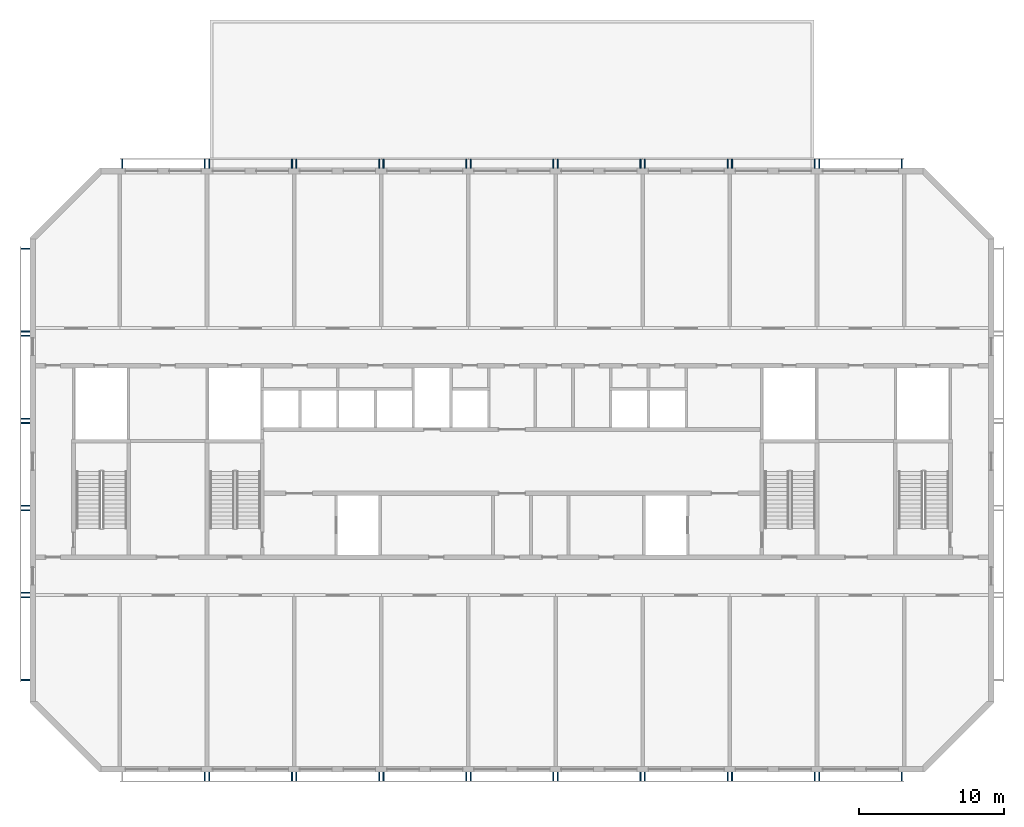
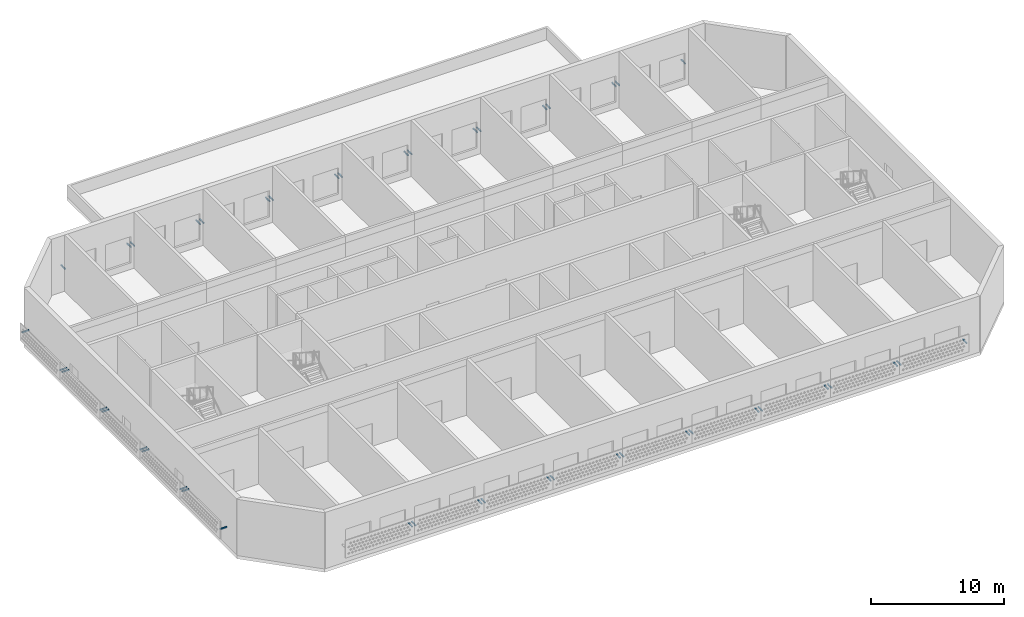
# One storey, part 8 of 18: 45 discrete accessories.
"""IFC4 building model written with IfcOpenShell, lengths in metres."""

from ifc_helpers import new_model, si_unit, direction, frame, origin, origin_2d, place, context, subcontext, project, spatial, rectangle, extrude, source, transform, mapped, material, material_profile, profile_set, type_object, element, save


model = new_model("IFC4")

# Units and contexts
model_context = context("Model", 3, precision=1e-05, world=origin(), true_north=direction((0.0, 1.0)))
body_context = subcontext(model_context, "Body", "Model", "MODEL_VIEW")
ifc_project = project(units=[si_unit("LENGTHUNIT", "METRE"), si_unit("AREAUNIT", "SQUARE_METRE"), si_unit("VOLUMEUNIT", "CUBIC_METRE"), si_unit("PLANEANGLEUNIT", "RADIAN"), si_unit("MASSUNIT", "GRAM", prefix="KILO")], contexts=[model_context])

# Site, building, storey
site_placement = place(None, origin())
site = spatial("IfcSite", under=ifc_project, at=site_placement, CompositionType="ELEMENT")
building_placement = place(site_placement, origin())
building = spatial("IfcBuilding", under=site, at=building_placement, Name="Poui Terraces", CompositionType="ELEMENT")
storey_placement = place(building_placement, frame((0.0, 0.0, 267.0)))
storey = spatial("IfcBuildingStorey", under=building, at=storey_placement, Name="L74", CompositionType="ELEMENT", Elevation=267.0)

# Discrete accessories
ifc_material = material(Name="Galvanised steel", Category="steel")
ifc_material_profile = material_profile(ifc_material, rectangle(XDim=0.080078125, YDim=0.080078125, at=origin_2d()), Name="SCREEN BRACKET 80")
ifc_profile_set = profile_set([ifc_material_profile], Name="Galvanised steel")
discrete_accessory_type = type_object("IfcDiscreteAccessoryType", Name="SCREEN BRACKET 80", PredefinedType="BRACKET", material=ifc_profile_set)
shared_shape = source(origin(), body_context, "Body", "SweptSolid", [
    extrude(rectangle(XDim=0.080078125, YDim=0.080078125, at=origin_2d()), origin(), (0.0, 0.0, 1.0), 0.60009765625),
])
for number, where, z_axis, x_axis, name in (
    (1, (29.85009765625, -0.199951171875, 1.699951171875), (0.0, -1.0, 0.0), (1.0, 0.0, 0.0), "SCREEN BRACKET"),
    (2, (30.14990234375, -0.199951171875, 1.699951171875), (0.0, -1.0, 0.0), (1.0, 0.0, 0.0), "SCREEN BRACKET"),
    (3, (35.85009765625, -0.199951171875, 1.699951171875), (0.0, -1.0, 0.0), (1.0, 0.0, 0.0), "SCREEN BRACKET"),
    (4, (36.14990234375, -0.199951171875, 1.699951171875), (0.0, -1.0, 0.0), (1.0, 0.0, 0.0), "SCREEN BRACKET"),
    (5, (41.85009765625, -0.199951171875, 1.699951171875), (0.0, -1.0, 0.0), (1.0, 0.0, 0.0), "SCREEN BRACKET"),
    (6, (42.14990234375, -0.199951171875, 1.699951171875), (0.0, -1.0, 0.0), (1.0, 0.0, 0.0), "SCREEN BRACKET"),
    (7, (47.85009765625, -0.199951171875, 1.699951171875), (0.0, -1.0, 0.0), (1.0, 0.0, 0.0), "SCREEN BRACKET"),
    (8, (48.14990234375, -0.199951171875, 1.699951171875), (0.0, -1.0, 0.0), (1.0, 0.0, 0.0), "SCREEN BRACKET"),
    (9, (53.85009765625, -0.199951171875, 1.699951171875), (0.0, -1.0, 0.0), (1.0, 0.0, 0.0), "SCREEN BRACKET"),
    (10, (54.14990234375, -0.199951171875, 1.699951171875), (0.0, -1.0, 0.0), (1.0, 0.0, 0.0), "SCREEN BRACKET"),
    (11, (59.85009765625, -0.199951171875, 1.699951171875), (0.0, -1.0, 0.0), (1.0, 0.0, 0.0), "SCREEN BRACKET"),
    (12, (60.14990234375, -0.199951171875, 1.699951171875), (0.0, -1.0, 0.0), (1.0, 0.0, 0.0), "SCREEN BRACKET"),
    (13, (65.85009765625, -0.199951171875, 1.699951171875), (0.0, -1.0, 0.0), (1.0, 0.0, 0.0), "SCREEN BRACKET"),
    (14, (66.14990234375, -0.199951171875, 1.699951171875), (0.0, -1.0, 0.0), (1.0, 0.0, 0.0), "SCREEN BRACKET"),
    (15, (71.85009765625, -0.199951171875, 1.699951171875), (0.0, -1.0, 0.0), (1.0, 0.0, 0.0), "SCREEN BRACKET"),
    (16, (72.14990234375, -0.199951171875, 1.699951171875), (0.0, -1.0, 0.0), (1.0, 0.0, 0.0), "SCREEN BRACKET"),
    (17, (77.85009765625, -0.199951171875, 1.699951171875), (0.0, -1.0, 0.0), (1.0, 0.0, 0.0), "SCREEN BRACKET"),
    (18, (29.85009765625, 41.39990234375, 1.699951171875), (0.0, 1.0, 0.0), (-1.0, 0.0, 0.0), "SCREEN BRACKET"),
    (19, (24.14990234375, 41.39990234375, 1.699951171875), (0.0, 1.0, 0.0), (-1.0, 0.0, 0.0), "SCREEN BRACKET"),
    (20, (35.85009765625, 41.39990234375, 1.699951171875), (0.0, 1.0, 0.0), (-1.0, 0.0, 0.0), "SCREEN BRACKET"),
    (21, (30.14990234375, 41.39990234375, 1.699951171875), (0.0, 1.0, 0.0), (-1.0, 0.0, 0.0), "SCREEN BRACKET"),
    (22, (41.85009765625, 41.39990234375, 1.699951171875), (0.0, 1.0, 0.0), (-1.0, 0.0, 0.0), "SCREEN BRACKET"),
    (23, (36.14990234375, 41.39990234375, 1.699951171875), (0.0, 1.0, 0.0), (-1.0, 0.0, 0.0), "SCREEN BRACKET"),
    (24, (47.85009765625, 41.39990234375, 1.699951171875), (0.0, 1.0, 0.0), (-1.0, 0.0, 0.0), "SCREEN BRACKET"),
    (25, (42.14990234375, 41.39990234375, 1.699951171875), (0.0, 1.0, 0.0), (-1.0, 0.0, 0.0), "SCREEN BRACKET"),
    (26, (53.85009765625, 41.39990234375, 1.699951171875), (0.0, 1.0, 0.0), (-1.0, 0.0, 0.0), "SCREEN BRACKET"),
    (27, (48.14990234375, 41.39990234375, 1.699951171875), (0.0, 1.0, 0.0), (-1.0, 0.0, 0.0), "SCREEN BRACKET"),
    (28, (59.85009765625, 41.39990234375, 1.699951171875), (0.0, 1.0, 0.0), (-1.0, 0.0, 0.0), "SCREEN BRACKET"),
    (29, (54.14990234375, 41.39990234375, 1.699951171875), (0.0, 1.0, 0.0), (-1.0, 0.0, 0.0), "SCREEN BRACKET"),
    (30, (65.85009765625, 41.39990234375, 1.699951171875), (0.0, 1.0, 0.0), (-1.0, 0.0, 0.0), "SCREEN BRACKET"),
    (31, (60.14990234375, 41.39990234375, 1.699951171875), (0.0, 1.0, 0.0), (-1.0, 0.0, 0.0), "SCREEN BRACKET"),
    (32, (71.85009765625, 41.39990234375, 1.699951171875), (0.0, 1.0, 0.0), (-1.0, 0.0, 0.0), "SCREEN BRACKET"),
    (33, (66.14990234375, 41.39990234375, 1.699951171875), (0.0, 1.0, 0.0), (-1.0, 0.0, 0.0), "SCREEN BRACKET"),
    (34, (77.85009765625, 41.39990234375, 1.699951171875), (0.0, 1.0, 0.0), (-1.0, 0.0, 0.0), "SCREEN BRACKET"),
    (35, (72.14990234375, 41.39990234375, 1.699951171875), (0.0, 1.0, 0.0), (-1.0, 0.0, 0.0), "SCREEN BRACKET"),
    (36, (17.800048828125, 11.85009765625, 1.699951171875), (-1.0, 0.0, 0.0), (0.0, -1.0, 0.0), "SCREEN BRACKET"),
    (37, (17.800048828125, 6.14990234375, 1.699951171875), (-1.0, 0.0, 0.0), (0.0, -1.0, 0.0), "SCREEN BRACKET"),
    (38, (17.800048828125, 17.85009765625, 1.699951171875), (-1.0, 0.0, 0.0), (0.0, -1.0, 0.0), "SCREEN BRACKET"),
    (39, (17.800048828125, 12.14990234375, 1.699951171875), (-1.0, 0.0, 0.0), (0.0, -1.0, 0.0), "SCREEN BRACKET"),
    (40, (17.800048828125, 23.85009765625, 1.699951171875), (-1.0, 0.0, 0.0), (0.0, -1.0, 0.0), "SCREEN BRACKET"),
    (41, (17.800048828125, 18.14990234375, 1.699951171875), (-1.0, 0.0, 0.0), (0.0, -1.0, 0.0), "SCREEN BRACKET"),
    (42, (17.800048828125, 29.85009765625, 1.699951171875), (-1.0, 0.0, 0.0), (0.0, -1.0, 0.0), "SCREEN BRACKET"),
    (43, (17.800048828125, 24.14990234375, 1.699951171875), (-1.0, 0.0, 0.0), (0.0, -1.0, 0.0), "SCREEN BRACKET"),
    (44, (17.800048828125, 35.85009765625, 1.699951171875), (-1.0, 0.0, 0.0), (0.0, -1.0, 0.0), "SCREEN BRACKET"),
    (45, (17.800048828125, 30.14990234375, 1.699951171875), (-1.0, 0.0, 0.0), (0.0, -1.0, 0.0), "SCREEN BRACKET"),
):
    element("IfcDiscreteAccessory", number, at=place(storey_placement, frame(where, z_axis=z_axis, x_axis=x_axis)), inside=storey, type_object=discrete_accessory_type, Name=name, PredefinedType="BRACKET", context=body_context, shape_type="MappedRepresentation", body=[
        mapped(shared_shape, transform((0.0, 0.0, 0.0))),
    ])

save(model, "model.ifc")
